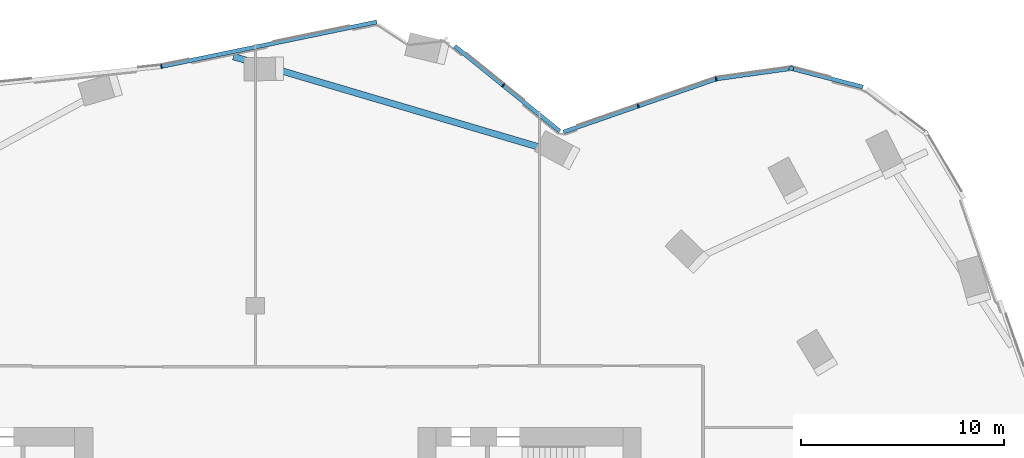
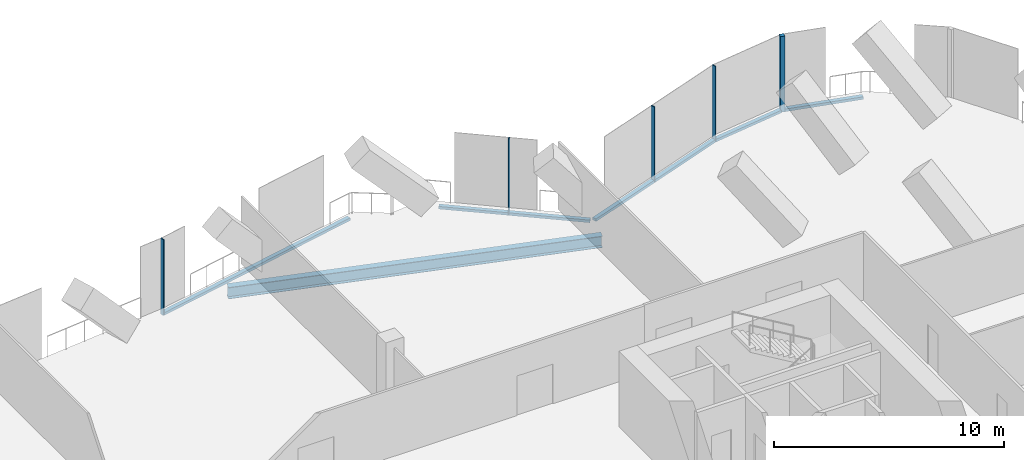
# One storey, part 10 of 26: 10 members, 1 beam, 5 elements without a shape of their own.
"""IFC4 building model written with IfcOpenShell, lengths in metres."""

from ifc_helpers import new_model, si_unit, direction, frame, origin, origin_2d, place, context, subcontext, project, spatial, rectangle, i_section, extrude, material, material_profile, profile_set, type_object, element, aggregate, save


model = new_model("IFC4")

# Units and contexts
model_context = context("Model", 3, precision=1e-05, world=origin(), true_north=direction((0.0, 1.0)))
body_context = subcontext(model_context, "Body", "Model", "MODEL_VIEW")
ifc_project = project(units=[si_unit("LENGTHUNIT", "METRE"), si_unit("AREAUNIT", "SQUARE_METRE"), si_unit("VOLUMEUNIT", "CUBIC_METRE"), si_unit("PLANEANGLEUNIT", "RADIAN"), si_unit("MASSUNIT", "GRAM", prefix="KILO")], contexts=[model_context])

# Site, building, storey
site_placement = place(None, origin())
site = spatial("IfcSite", under=ifc_project, at=site_placement, CompositionType="ELEMENT")
building_placement = place(site_placement, origin())
building = spatial("IfcBuilding", under=site, at=building_placement, Name="Orlundy Tower", CompositionType="ELEMENT")
storey_placement = place(building_placement, frame((0.0, 0.0, 228.0)))
storey = spatial("IfcBuildingStorey", under=building, at=storey_placement, Name="L60", CompositionType="ELEMENT", Elevation=228.0)

# Beam
ifc_material_1 = material(Name="Steel ASTM A992 Gr 50", Category="steel")
ifc_material_profile_1 = material_profile(ifc_material_1, i_section(OverallWidth=0.32373046875, OverallDepth=0.611083984375, WebThickness=0.0126953125, FlangeThickness=0.01904296875, at=origin_2d()), Name="W24X104")
ifc_profile_set_1 = profile_set([ifc_material_profile_1], Name="Steel ASTM A992 Gr 50")
beam_type = type_object("IfcBeamType", Name="CANTILEVER GIRDER beam W24X104", PredefinedType="BEAM", material=ifc_profile_set_1)
beam_placement = place(storey_placement, frame((-1.072998046875, 30.266357421875, -0.7255859375), z_axis=(0.958826415861, -0.283992789077, 0.0), x_axis=(0.283992789077, 0.958826415861, 0.0)))
element("IfcBeam", 1, at=beam_placement, inside=storey, type_object=beam_type, Name="Cantilever girder C-H24 L60", PredefinedType="BEAM", context=body_context, shape_type="SweptSolid", body=[
    extrude(i_section(OverallWidth=0.32373046875, OverallDepth=0.611083984375, WebThickness=0.0126953125, FlangeThickness=0.01904296875, at=origin_2d()), origin(), (0.0, 0.0, 1.0), 16.705078125),
])

# Curtain wall, member
ifc_material_2 = material(Name="Aluminium bronze anodised", Category="aluminium")
curtain_wall_type = type_object("IfcCurtainWallType", Name="CW5 wall", PredefinedType="NOTDEFINED", material=ifc_material_2)
curtain_wall_1_placement = place(storey_placement, origin())
curtain_wall_1 = element("IfcCurtainWall", 2, at=curtain_wall_1_placement, inside=storey, type_object=curtain_wall_type, Name="CW5 run 018", PredefinedType="NOTDEFINED")
ifc_material_3 = material(Name="Aluminium bronze anodised", Category="aluminium")
ifc_material_profile_2 = material_profile(ifc_material_3, rectangle(XDim=0.199951171875, YDim=0.199951171875, at=origin_2d()), Name="CW5 corner post 200x200")
ifc_profile_set_2 = profile_set([ifc_material_profile_2], Name="Aluminium bronze anodised")
member_type_1 = type_object("IfcMemberType", Name="CW5 corner post 200x200", PredefinedType="MULLION", material=ifc_profile_set_2)
member_1_placement = place(storey_placement, frame((26.392822265625, 29.681884765625, -0.419921875), z_axis=(0.0, 0.0, 1.0), x_axis=(0.251982569313, 0.967731773149, 0.0)))
member_1 = element("IfcMember", 3, at=member_1_placement, type_object=member_type_1, Name="CW5 mullion 28", PredefinedType="MULLION", context=body_context, shape_type="SweptSolid", body=[
    extrude(rectangle(XDim=0.199951171875, YDim=0.199951171875, at=origin_2d()), origin(), (0.0, 0.0, 1.0), 4.02001953125),
])

curtain_wall_2_placement = place(storey_placement, origin())
curtain_wall_2 = element("IfcCurtainWall", 4, at=curtain_wall_2_placement, inside=storey, type_object=curtain_wall_type, Name="CW5 run 012", PredefinedType="NOTDEFINED")
ifc_material_4 = material(Name="Aluminium bronze anodised", Category="aluminium")
ifc_material_profile_3 = material_profile(ifc_material_4, rectangle(XDim=0.199951171875, YDim=0.050048828125, at=origin_2d()), Name="CW5 mullion 50x200")
ifc_profile_set_3 = profile_set([ifc_material_profile_3], Name="Aluminium bronze anodised")
member_type_2 = type_object("IfcMemberType", Name="CW5 mullion 50x200", PredefinedType="MULLION", material=ifc_profile_set_3)
member_2_placement = place(storey_placement, frame((-4.622314453125, 29.780029296875, -0.419921875), z_axis=(0.0, 0.0, 1.0), x_axis=(-0.153573532362, 0.988137222332, 0.0)))
member_2 = element("IfcMember", 5, at=member_2_placement, type_object=member_type_2, Name="CW5 mullion 19", PredefinedType="MULLION", context=body_context, shape_type="SweptSolid", body=[
    extrude(rectangle(XDim=0.199951171875, YDim=0.050048828125, at=origin_2d()), origin(), (0.0, 0.0, 1.0), 4.02001953125),
])

curtain_wall_3_placement = place(storey_placement, origin())
curtain_wall_3 = element("IfcCurtainWall", 6, at=curtain_wall_3_placement, inside=storey, type_object=curtain_wall_type, Name="CW5 run 015", PredefinedType="NOTDEFINED")
member_3_placement = place(storey_placement, frame((12.203369140625, 28.84912109375, -0.419921875), z_axis=(0.0, 0.0, 1.0), x_axis=(0.629343757631, 0.777127038991, 0.0)))
member_3 = element("IfcMember", 7, at=member_3_placement, type_object=member_type_2, Name="CW5 mullion 24", PredefinedType="MULLION", context=body_context, shape_type="SweptSolid", body=[
    extrude(rectangle(XDim=0.199951171875, YDim=0.050048828125, at=origin_2d()), origin(), (0.0, 0.0, 1.0), 4.02001953125),
])

curtain_wall_4_placement = place(storey_placement, origin())
curtain_wall_4 = element("IfcCurtainWall", 8, at=curtain_wall_4_placement, inside=storey, type_object=curtain_wall_type, Name="CW5 run 016", PredefinedType="NOTDEFINED")
member_4_placement = place(storey_placement, frame((18.854248046875, 27.8330078125, -0.419921875), z_axis=(0.0, 0.0, 1.0), x_axis=(-0.328305279409, 0.944571671983, 0.0)))
member_4 = element("IfcMember", 9, at=member_4_placement, type_object=member_type_2, Name="CW5 mullion 26", PredefinedType="MULLION", context=body_context, shape_type="SweptSolid", body=[
    extrude(rectangle(XDim=0.199951171875, YDim=0.050048828125, at=origin_2d()), origin(), (0.0, 0.0, 1.0), 4.02001953125),
])

curtain_wall_5_placement = place(storey_placement, origin())
curtain_wall_5 = element("IfcCurtainWall", 10, at=curtain_wall_5_placement, inside=storey, type_object=curtain_wall_type, Name="CW5 run 017", PredefinedType="NOTDEFINED")
member_5_placement = place(storey_placement, frame((22.69140625, 29.166748046875, -0.419921875), z_axis=(0.0, 0.0, 1.0), x_axis=(-0.234195545285, 0.972189511653, 0.0)))
member_5 = element("IfcMember", 11, at=member_5_placement, type_object=member_type_2, Name="CW5 mullion 27", PredefinedType="MULLION", context=body_context, shape_type="SweptSolid", body=[
    extrude(rectangle(XDim=0.199951171875, YDim=0.050048828125, at=origin_2d()), origin(), (0.0, 0.0, 1.0), 4.02001953125),
])

# Member
ifc_material_5 = material(Name="Aluminium bronze anodised", Category="aluminium")
ifc_material_profile_4 = material_profile(ifc_material_5, rectangle(XDim=0.199951171875, YDim=0.139892578125, at=origin_2d()), Name="CW5 transom 200x140")
ifc_profile_set_4 = profile_set([ifc_material_profile_4], Name="Aluminium bronze anodised")
member_type_3 = type_object("IfcMemberType", Name="CW5 transom 200x140", PredefinedType="USERDEFINED", material=ifc_profile_set_4)
member_6_placement = place(storey_placement, frame((-4.597900390625, 29.784912109375, -0.35009765625), z_axis=(0.979329146105, 0.20227314105, 0.0), x_axis=(-0.20227314105, 0.979329146105, 0.0)))
member_6 = element("IfcMember", 12, at=member_6_placement, type_object=member_type_3, Name="CW5 transom", ObjectType="TRANSOM", PredefinedType="USERDEFINED", context=body_context, shape_type="SweptSolid", body=[
    extrude(rectangle(XDim=0.199951171875, YDim=0.139892578125, at=origin_2d()), origin(), (0.0, 0.0, 1.0), 10.80615234375),
])

aggregate(curtain_wall_2, [member_2, member_6])

member_7_placement = place(storey_placement, frame((9.821044921875, 30.778564453125, -0.35009765625), z_axis=(0.777125125015, -0.629346121042, 0.0), x_axis=(0.629346121042, 0.777125125015, 0.0)))
member_7 = element("IfcMember", 13, at=member_7_placement, type_object=member_type_3, Name="CW5 transom", ObjectType="TRANSOM", PredefinedType="USERDEFINED", context=body_context, shape_type="SweptSolid", body=[
    extrude(rectangle(XDim=0.199951171875, YDim=0.139892578125, at=origin_2d()), origin(), (0.0, 0.0, 1.0), 6.64794921875),
])

aggregate(curtain_wall_3, [member_3, member_7])

member_8_placement = place(storey_placement, frame((15.173095703125, 26.553466796875, -0.35009765625), z_axis=(0.944569002304, 0.328312960277, 0.0), x_axis=(-0.328312960277, 0.944569002304, 0.0)))
member_8 = element("IfcMember", 14, at=member_8_placement, type_object=member_type_3, Name="CW5 transom", ObjectType="TRANSOM", PredefinedType="USERDEFINED", context=body_context, shape_type="SweptSolid", body=[
    extrude(rectangle(XDim=0.199951171875, YDim=0.139892578125, at=origin_2d()), origin(), (0.0, 0.0, 1.0), 7.934326171875),
])

aggregate(curtain_wall_4, [member_4, member_8])

member_9_placement = place(storey_placement, frame((22.71630859375, 29.170166015625, -0.35009765625), z_axis=(0.99046045027, 0.137797302042, 0.0), x_axis=(-0.137797302042, 0.99046045027, 0.0)))
member_9 = element("IfcMember", 15, at=member_9_placement, type_object=member_type_3, Name="CW5 transom", ObjectType="TRANSOM", PredefinedType="USERDEFINED", context=body_context, shape_type="SweptSolid", body=[
    extrude(rectangle(XDim=0.199951171875, YDim=0.139892578125, at=origin_2d()), origin(), (0.0, 0.0, 1.0), 3.603759765625),
])

aggregate(curtain_wall_5, [member_5, member_9])

member_10_placement = place(storey_placement, frame((26.48974609375, 29.656494140625, -0.35009765625), z_axis=(0.967746843171, -0.251924686233, 0.0), x_axis=(0.251924686233, 0.967746843171, 0.0)))
member_10 = element("IfcMember", 16, at=member_10_placement, type_object=member_type_3, Name="CW5 transom", ObjectType="TRANSOM", PredefinedType="USERDEFINED", context=body_context, shape_type="SweptSolid", body=[
    extrude(rectangle(XDim=0.199951171875, YDim=0.139892578125, at=origin_2d()), origin(), (0.0, 0.0, 1.0), 3.5380859375),
])

aggregate(curtain_wall_1, [member_1, member_10])

save(model, "model.ifc")
